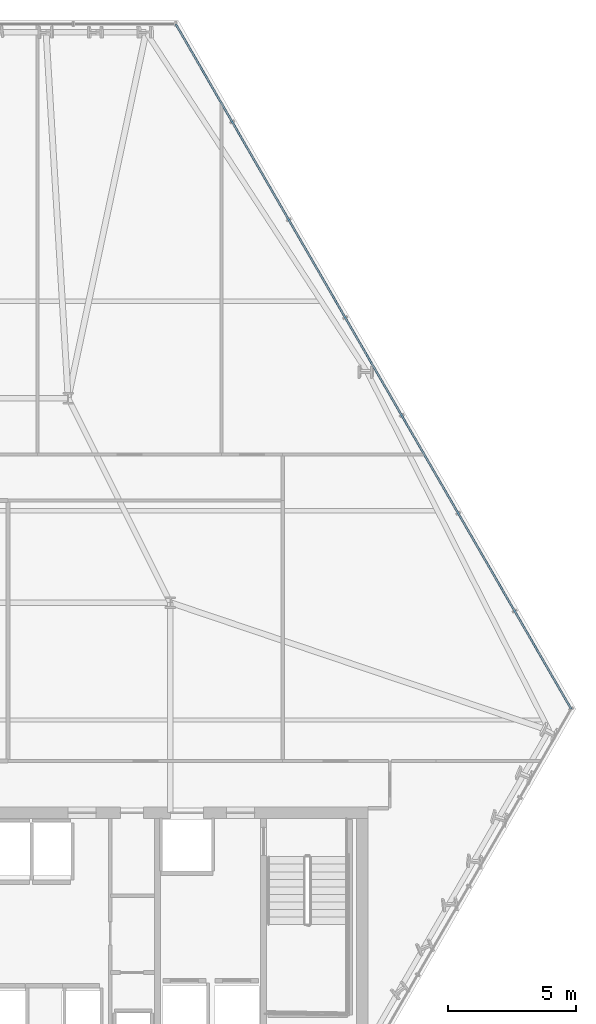
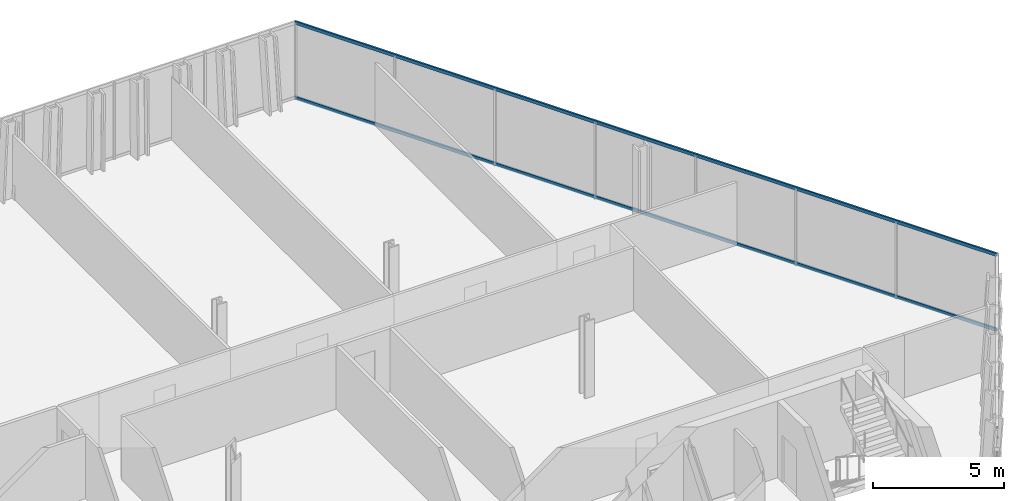
# One storey, part 18 of 32: 2 members, 1 element without a shape of its own.
"""IFC4 building model written with IfcOpenShell, lengths in metres."""

from ifc_helpers import new_model, si_unit, direction, frame, origin, origin_2d, place, context, subcontext, project, spatial, hollow_rectangle, extrude, material, layer, layer_set, material_profile, profile_set, type_object, element, aggregate, save


model = new_model("IFC4")

# Units and contexts
model_context = context("Model", 3, precision=1e-05, world=origin(), true_north=direction((0.0, 1.0)))
body_context = subcontext(model_context, "Body", "Model", "MODEL_VIEW")
ifc_project = project(units=[si_unit("LENGTHUNIT", "METRE"), si_unit("AREAUNIT", "SQUARE_METRE"), si_unit("VOLUMEUNIT", "CUBIC_METRE"), si_unit("PLANEANGLEUNIT", "RADIAN"), si_unit("MASSUNIT", "GRAM", prefix="KILO")], contexts=[model_context])

# Site, building, storey
site_placement = place(None, origin())
site = spatial("IfcSite", under=ifc_project, at=site_placement, CompositionType="ELEMENT")
building_placement = place(site_placement, origin())
building = spatial("IfcBuilding", under=site, at=building_placement, Name="Ndaravel Arena Tower", CompositionType="ELEMENT")
storey_placement = place(building_placement, frame((0.0, 0.0, 55.0)))
storey = spatial("IfcBuildingStorey", under=building, at=storey_placement, Name="L11", CompositionType="ELEMENT", Elevation=55.0)

# Curtain wall, members
ifc_material_1 = material(Name="Aluminium", Category="aluminium")
ifc_layer = layer(ifc_material_1, 0.179931640625)
ifc_layer_set = layer_set([ifc_layer], Name="Aluminium")
curtain_wall_type = type_object("IfcCurtainWallType", Name="CW-SYS-03", PredefinedType="NOTDEFINED", material=ifc_layer_set)
curtain_wall_placement = place(storey_placement, origin())
curtain_wall = element("IfcCurtainWall", 1, at=curtain_wall_placement, inside=storey, type_object=curtain_wall_type, Name="L11 Faceted Crystal Curtain Wall CW-L11-E03", PredefinedType="NOTDEFINED")
ifc_material_2 = material(Name="Aluminium", Category="aluminium")
ifc_material_profile = material_profile(ifc_material_2, hollow_rectangle(XDim=0.074951171875, YDim=0.14990234375, WallThickness=0.00390625, at=origin_2d()), Name="CW TRANSOM 75x150x4")
ifc_profile_set = profile_set([ifc_material_profile], Name="Aluminium")
member_type = type_object("IfcMemberType", Name="MEM-CW-TRN150", PredefinedType="USERDEFINED", material=ifc_profile_set)
member_1_placement = place(storey_placement, frame((65.4931640625, 19.03955078125, 0.0400390625), z_axis=(-0.500004826597, 0.866022617129, 0.0), x_axis=(-0.866022617129, -0.500004826597, 0.0)))
member_1 = element("IfcMember", 2, at=member_1_placement, type_object=member_type, Name="CW-L11-E03 Transom 01", ObjectType="TRANSOM", PredefinedType="USERDEFINED", context=body_context, shape_type="SweptSolid", body=[
    extrude(hollow_rectangle(XDim=0.074951171875, YDim=0.14990234375, WallThickness=0.00390625, at=origin_2d()), origin(), (0.0, 0.0, 1.0), 30.959716796875),
])
member_2_placement = place(storey_placement, frame((65.4931640625, 19.03955078125, 3.5400390625), z_axis=(-0.500004826597, 0.866022617129, 0.0), x_axis=(-0.866022617129, -0.500004826597, 0.0)))
member_2 = element("IfcMember", 3, at=member_2_placement, type_object=member_type, Name="CW-L11-E03 Transom 02", ObjectType="TRANSOM", PredefinedType="USERDEFINED", context=body_context, shape_type="SweptSolid", body=[
    extrude(hollow_rectangle(XDim=0.074951171875, YDim=0.14990234375, WallThickness=0.00390625, at=origin_2d()), origin(), (0.0, 0.0, 1.0), 30.959716796875),
])
aggregate(curtain_wall, [member_1, member_2])

save(model, "model.ifc")
